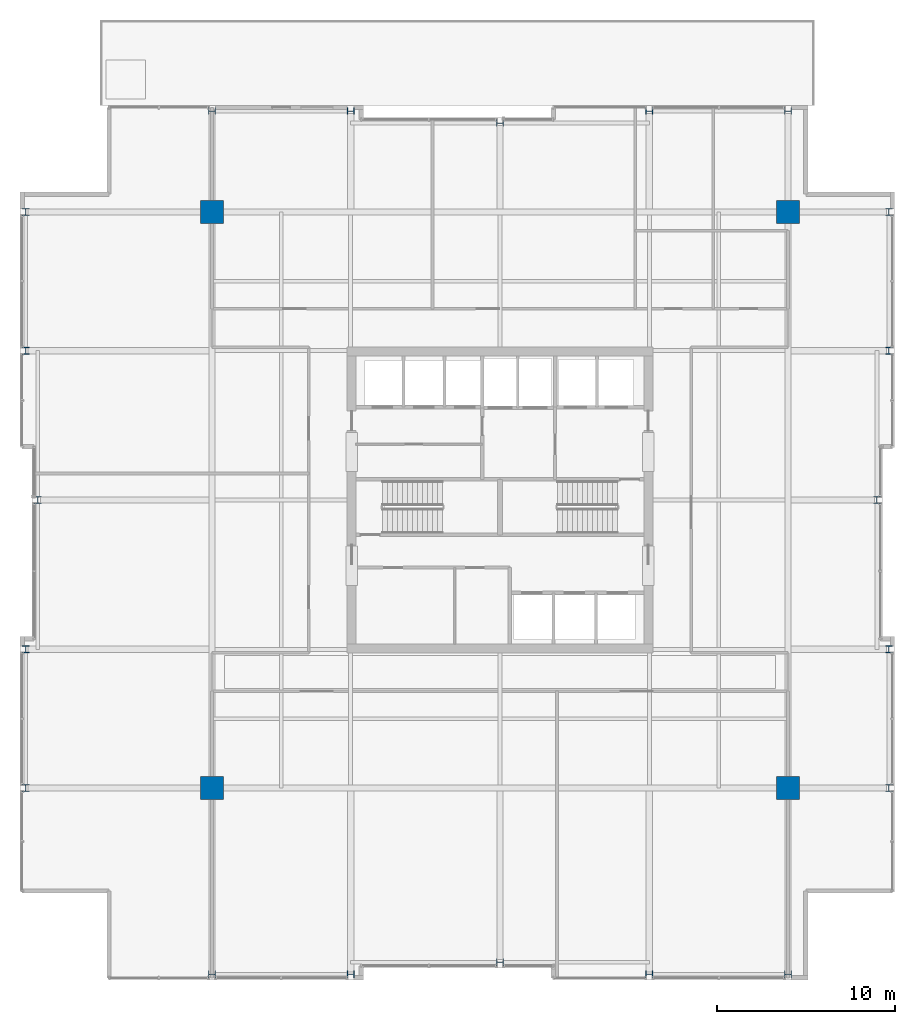
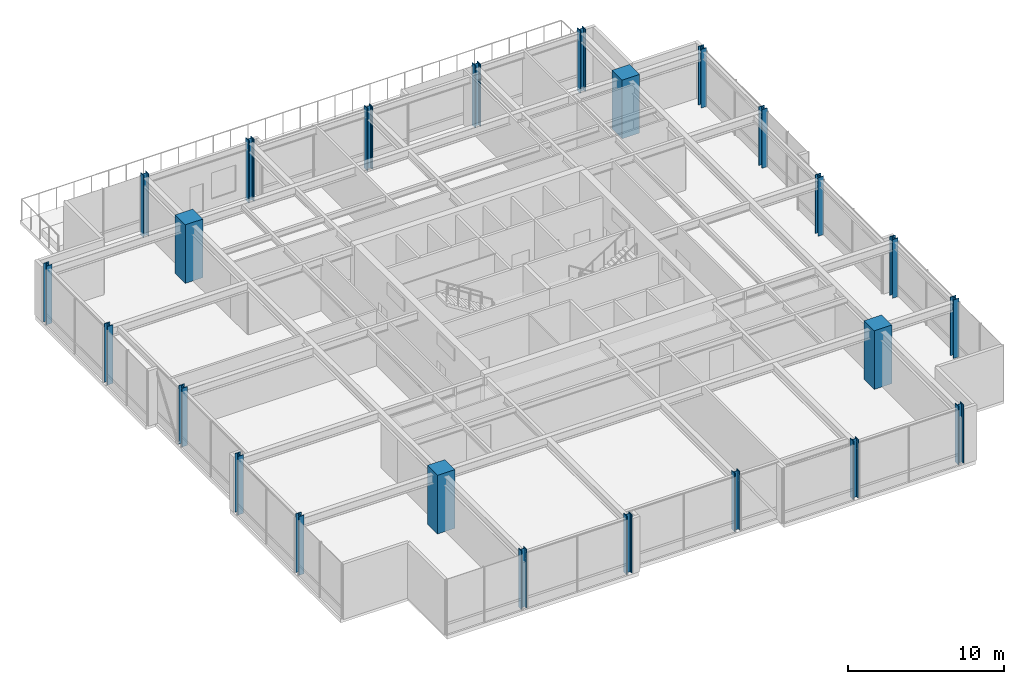
# One storey, part 1 of 32: 24 columns.
"""IFC4 building model written with IfcOpenShell, lengths in metres."""

from ifc_helpers import new_model, si_unit, direction, frame, origin, origin_2d, place, context, subcontext, project, spatial, rectangle, i_section, extrude, material, material_profile, profile_set, type_object, element, save


model = new_model("IFC4")

# Units and contexts
model_context = context("Model", 3, precision=1e-05, world=origin(), true_north=direction((0.0, 1.0)))
body_context = subcontext(model_context, "Body", "Model", "MODEL_VIEW")
ifc_project = project(units=[si_unit("LENGTHUNIT", "METRE"), si_unit("AREAUNIT", "SQUARE_METRE"), si_unit("VOLUMEUNIT", "CUBIC_METRE"), si_unit("PLANEANGLEUNIT", "RADIAN"), si_unit("MASSUNIT", "GRAM", prefix="KILO")], contexts=[model_context])

# Site, building, storey
site_placement = place(None, origin())
site = spatial("IfcSite", under=ifc_project, at=site_placement, CompositionType="ELEMENT")
building_placement = place(site_placement, origin())
building = spatial("IfcBuilding", under=site, at=building_placement, Name="Drelvath Grand Hotel", CompositionType="ELEMENT")
storey_placement = place(building_placement, frame((0.0, 0.0, 145.800048828125)))
storey = spatial("IfcBuildingStorey", under=building, at=storey_placement, Name="L37", CompositionType="ELEMENT", Elevation=145.800048828125)

# Columns
ifc_material_1 = material(Name="Concrete f'c 55 MPa", Category="concrete")
ifc_material_profile_1 = material_profile(ifc_material_1, rectangle(XDim=1.300048828125, YDim=1.300048828125, at=origin_2d()), Name="MC1300X1300")
ifc_profile_set_1 = profile_set([ifc_material_profile_1], Name="Concrete f'c 55 MPa")
column_type_1 = type_object("IfcColumnType", Name="Composite Mega Column MC1300X1300", PredefinedType="COLUMN", material=ifc_profile_set_1)
for number, where, z_axis, x_axis, name in (
    (1, (-16.199951171875, 10.800048828125, 0.0), (0.0, 0.0, 1.0), (1.0, 0.0, 0.0), "L37 Composite Mega Column MC-SW"),
    (2, (16.199951171875, 10.800048828125, 0.0), (0.0, 0.0, 1.0), (1.0, 0.0, 0.0), "L37 Composite Mega Column MC-SE"),
    (3, (-16.199951171875, 43.199951171875, 0.0), (0.0, 0.0, 1.0), (1.0, 0.0, 0.0), "L37 Composite Mega Column MC-NW"),
    (4, (16.199951171875, 43.199951171875, 0.0), (0.0, 0.0, 1.0), (1.0, 0.0, 0.0), "L37 Composite Mega Column MC-NE"),
):
    element("IfcColumn", number, at=place(storey_placement, frame(where, z_axis=z_axis, x_axis=x_axis)), inside=storey, type_object=column_type_1, Name=name, PredefinedType="COLUMN", context=body_context, shape_type="SweptSolid", body=[
        extrude(rectangle(XDim=1.300048828125, YDim=1.300048828125, at=origin_2d()), origin(), (0.0, 0.0, 1.0), 4.599853515625),
    ])
ifc_material_2 = material(Name="Steel ASTM A913 Gr 65", Category="steel")
ifc_material_profile_2 = material_profile(ifc_material_2, i_section(OverallWidth=0.40625, OverallDepth=0.416015625, WebThickness=0.02978515625, FlangeThickness=0.048095703125, FilletRadius=0.028076171875, at=origin_2d()), Name="W14X257")
ifc_profile_set_2 = profile_set([ifc_material_profile_2], Name="Steel ASTM A913 Gr 65")
column_type_2 = type_object("IfcColumnType", Name="Perimeter Steel Column W14X257", PredefinedType="COLUMN", material=ifc_profile_set_2)
for number, where, z_axis, x_axis, name in (
    (5, (-26.679931640625, 10.800048828125, 0.0), (0.0, 0.0, 1.0), (1.0, 0.0, 0.0), "L37 Structural Column TCW-C"),
    (6, (21.8798828125, 10.800048828125, 0.0), (0.0, 0.0, 1.0), (1.0, 0.0, 0.0), "L37 Structural Column TCE-C"),
    (7, (-26.679931640625, 18.60009765625, 0.0), (0.0, 0.0, 1.0), (1.0, 0.0, 0.0), "L37 Structural Column TCW-D"),
    (8, (21.8798828125, 18.60009765625, 0.0), (0.0, 0.0, 1.0), (1.0, 0.0, 0.0), "L37 Structural Column TCE-D"),
    (9, (-26.0, 27.0, 0.0), (0.0, 0.0, 1.0), (1.0, 0.0, 0.0), "L37 Structural Column TCW-E"),
    (10, (21.199951171875, 27.0, 0.0), (0.0, 0.0, 1.0), (1.0, 0.0, 0.0), "L37 Structural Column TCE-E"),
    (11, (-26.679931640625, 35.39990234375, 0.0), (0.0, 0.0, 1.0), (1.0, 0.0, 0.0), "L37 Structural Column TCW-F"),
    (12, (21.8798828125, 35.39990234375, 0.0), (0.0, 0.0, 1.0), (1.0, 0.0, 0.0), "L37 Structural Column TCE-F"),
    (13, (-26.679931640625, 43.199951171875, 0.0), (0.0, 0.0, 1.0), (1.0, 0.0, 0.0), "L37 Structural Column TCW-G"),
    (14, (21.8798828125, 43.199951171875, 0.0), (0.0, 0.0, 1.0), (1.0, 0.0, 0.0), "L37 Structural Column TCE-G"),
    (15, (-16.199951171875, 0.320068359375, 0.0), (0.0, 0.0, 1.0), (0.0, 1.0, 0.0), "L37 Structural Column TCS-3"),
):
    element("IfcColumn", number, at=place(storey_placement, frame(where, z_axis=z_axis, x_axis=x_axis)), inside=storey, type_object=column_type_2, Name=name, PredefinedType="COLUMN", context=body_context, shape_type="SweptSolid", body=[
        extrude(i_section(OverallWidth=0.40625, OverallDepth=0.416015625, WebThickness=0.02978515625, FlangeThickness=0.048095703125, FilletRadius=0.028076171875, at=origin_2d()), origin(), (0.0, 0.0, 1.0), 4.596923828125),
    ])
column_1_placement = place(storey_placement, frame((-16.199951171875, 48.8798828125, -0.300048828125), z_axis=(0.0, 0.0, 1.0), x_axis=(0.0, 1.0, 0.0)))
element("IfcColumn", 16, at=column_1_placement, inside=storey, type_object=column_type_2, Name="L37 Structural Column TCN-3", PredefinedType="COLUMN", context=body_context, shape_type="SweptSolid", body=[
    extrude(i_section(OverallWidth=0.40625, OverallDepth=0.416015625, WebThickness=0.02978515625, FlangeThickness=0.048095703125, FilletRadius=0.028076171875, at=origin_2d()), origin(), (0.0, 0.0, 1.0), 4.89697265625),
])
column_2_placement = place(storey_placement, frame((-8.39990234375, 0.320068359375, 0.0), z_axis=(0.0, 0.0, 1.0), x_axis=(0.0, 1.0, 0.0)))
element("IfcColumn", 17, at=column_2_placement, inside=storey, type_object=column_type_2, Name="L37 Structural Column TCS-4", PredefinedType="COLUMN", context=body_context, shape_type="SweptSolid", body=[
    extrude(i_section(OverallWidth=0.40625, OverallDepth=0.416015625, WebThickness=0.02978515625, FlangeThickness=0.048095703125, FilletRadius=0.028076171875, at=origin_2d()), origin(), (0.0, 0.0, 1.0), 4.596923828125),
])
column_3_placement = place(storey_placement, frame((-8.39990234375, 48.8798828125, -0.300048828125), z_axis=(0.0, 0.0, 1.0), x_axis=(0.0, 1.0, 0.0)))
element("IfcColumn", 18, at=column_3_placement, inside=storey, type_object=column_type_2, Name="L37 Structural Column TCN-4", PredefinedType="COLUMN", context=body_context, shape_type="SweptSolid", body=[
    extrude(i_section(OverallWidth=0.40625, OverallDepth=0.416015625, WebThickness=0.02978515625, FlangeThickness=0.048095703125, FilletRadius=0.028076171875, at=origin_2d()), origin(), (0.0, 0.0, 1.0), 4.89697265625),
])
column_4_placement = place(storey_placement, frame((0.0, 1.0, 0.0), z_axis=(0.0, 0.0, 1.0), x_axis=(0.0, 1.0, 0.0)))
element("IfcColumn", 19, at=column_4_placement, inside=storey, type_object=column_type_2, Name="L37 Structural Column TCS-5", PredefinedType="COLUMN", context=body_context, shape_type="SweptSolid", body=[
    extrude(i_section(OverallWidth=0.40625, OverallDepth=0.416015625, WebThickness=0.02978515625, FlangeThickness=0.048095703125, FilletRadius=0.028076171875, at=origin_2d()), origin(), (0.0, 0.0, 1.0), 4.596923828125),
])
column_5_placement = place(storey_placement, frame((0.0, 48.199951171875, -0.300048828125), z_axis=(0.0, 0.0, 1.0), x_axis=(0.0, 1.0, 0.0)))
element("IfcColumn", 20, at=column_5_placement, inside=storey, type_object=column_type_2, Name="L37 Structural Column TCN-5", PredefinedType="COLUMN", context=body_context, shape_type="SweptSolid", body=[
    extrude(i_section(OverallWidth=0.40625, OverallDepth=0.416015625, WebThickness=0.02978515625, FlangeThickness=0.048095703125, FilletRadius=0.028076171875, at=origin_2d()), origin(), (0.0, 0.0, 1.0), 4.89697265625),
])
column_6_placement = place(storey_placement, frame((8.39990234375, 0.320068359375, 0.0), z_axis=(0.0, 0.0, 1.0), x_axis=(0.0, 1.0, 0.0)))
element("IfcColumn", 21, at=column_6_placement, inside=storey, type_object=column_type_2, Name="L37 Structural Column TCS-6", PredefinedType="COLUMN", context=body_context, shape_type="SweptSolid", body=[
    extrude(i_section(OverallWidth=0.40625, OverallDepth=0.416015625, WebThickness=0.02978515625, FlangeThickness=0.048095703125, FilletRadius=0.028076171875, at=origin_2d()), origin(), (0.0, 0.0, 1.0), 4.596923828125),
])
column_7_placement = place(storey_placement, frame((8.39990234375, 48.8798828125, -0.300048828125), z_axis=(0.0, 0.0, 1.0), x_axis=(0.0, 1.0, 0.0)))
element("IfcColumn", 22, at=column_7_placement, inside=storey, type_object=column_type_2, Name="L37 Structural Column TCN-6", PredefinedType="COLUMN", context=body_context, shape_type="SweptSolid", body=[
    extrude(i_section(OverallWidth=0.40625, OverallDepth=0.416015625, WebThickness=0.02978515625, FlangeThickness=0.048095703125, FilletRadius=0.028076171875, at=origin_2d()), origin(), (0.0, 0.0, 1.0), 4.89697265625),
])
column_8_placement = place(storey_placement, frame((16.199951171875, 0.320068359375, 0.0), z_axis=(0.0, 0.0, 1.0), x_axis=(0.0, 1.0, 0.0)))
element("IfcColumn", 23, at=column_8_placement, inside=storey, type_object=column_type_2, Name="L37 Structural Column TCS-7", PredefinedType="COLUMN", context=body_context, shape_type="SweptSolid", body=[
    extrude(i_section(OverallWidth=0.40625, OverallDepth=0.416015625, WebThickness=0.02978515625, FlangeThickness=0.048095703125, FilletRadius=0.028076171875, at=origin_2d()), origin(), (0.0, 0.0, 1.0), 4.596923828125),
])
column_9_placement = place(storey_placement, frame((16.199951171875, 48.8798828125, -0.300048828125), z_axis=(0.0, 0.0, 1.0), x_axis=(0.0, 1.0, 0.0)))
element("IfcColumn", 24, at=column_9_placement, inside=storey, type_object=column_type_2, Name="L37 Structural Column TCN-7", PredefinedType="COLUMN", context=body_context, shape_type="SweptSolid", body=[
    extrude(i_section(OverallWidth=0.40625, OverallDepth=0.416015625, WebThickness=0.02978515625, FlangeThickness=0.048095703125, FilletRadius=0.028076171875, at=origin_2d()), origin(), (0.0, 0.0, 1.0), 4.89697265625),
])

save(model, "model.ifc")
